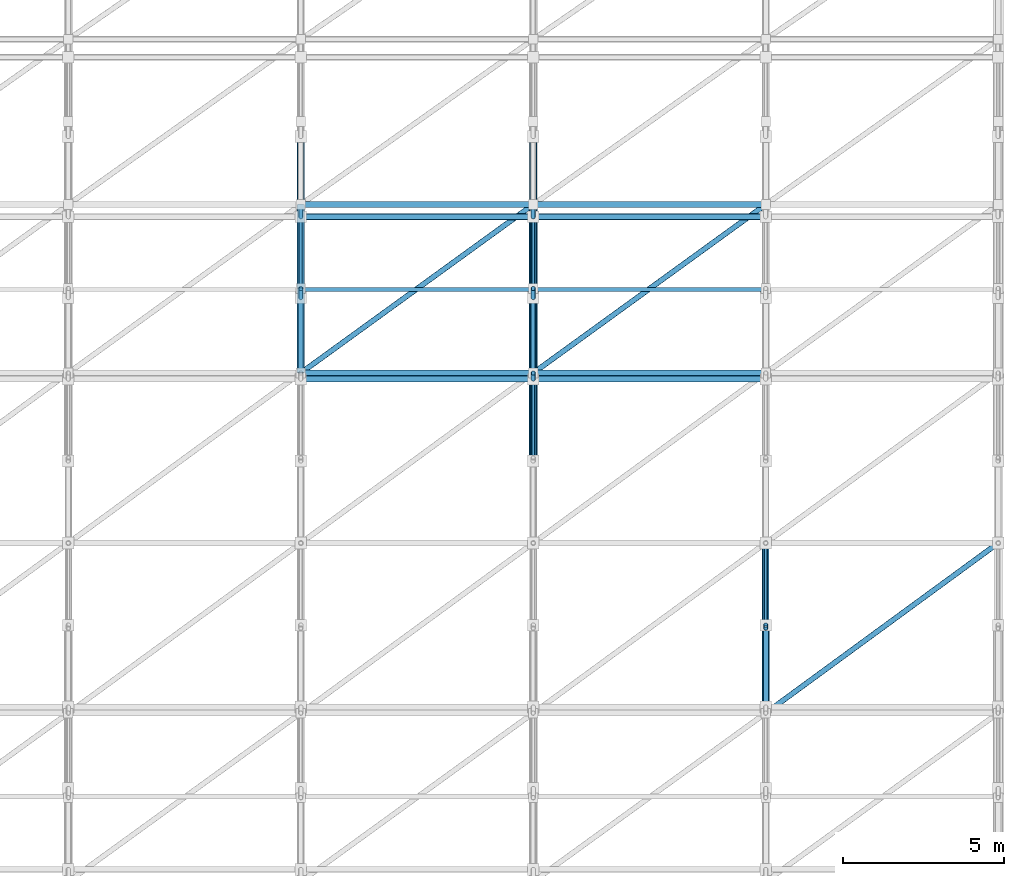
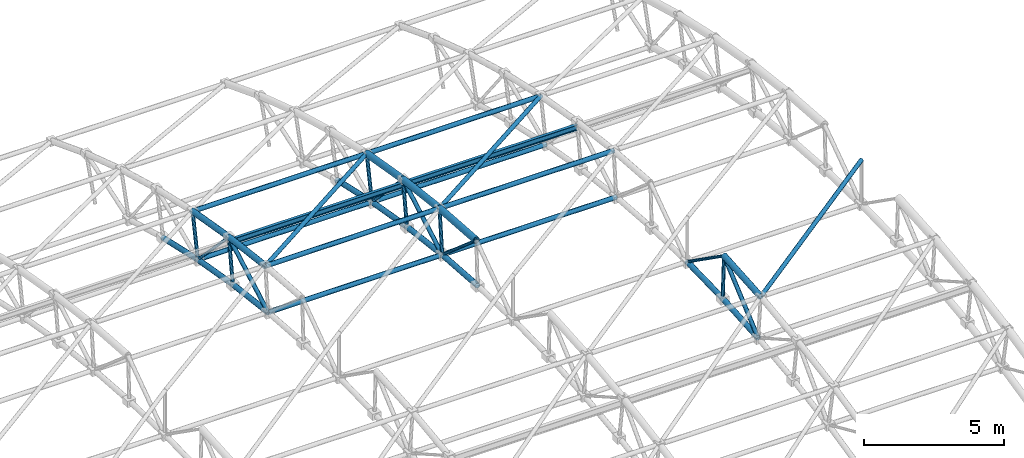
# One storey, part 20 of 41: 41 members.
"""IFC4 building model written with IfcOpenShell, lengths in metres."""

from ifc_helpers import new_model, si_unit, direction, frame, origin, origin_2d, place, context, subcontext, project, spatial, hollow_circle, i_section, extrude, material, material_profile, profile_set, type_object, element, save


model = new_model("IFC4")

# Units and contexts
model_context = context("Model", 3, precision=1e-05, world=origin(), true_north=direction((0.0, 1.0)))
body_context = subcontext(model_context, "Body", "Model", "MODEL_VIEW")
ifc_project = project(units=[si_unit("LENGTHUNIT", "METRE"), si_unit("AREAUNIT", "SQUARE_METRE"), si_unit("VOLUMEUNIT", "CUBIC_METRE"), si_unit("PLANEANGLEUNIT", "RADIAN"), si_unit("MASSUNIT", "GRAM", prefix="KILO")], contexts=[model_context])

# Site, building, storey
site_placement = place(None, origin())
site = spatial("IfcSite", under=ifc_project, at=site_placement, CompositionType="ELEMENT")
building_placement = place(site_placement, origin())
building = spatial("IfcBuilding", under=site, at=building_placement, Name="Malvenik Polytechnic", CompositionType="ELEMENT")
storey_placement = place(building_placement, frame((0.0, 0.0, 17.699951171875)))
storey = spatial("IfcBuildingStorey", under=building, at=storey_placement, Name="L04", CompositionType="ELEMENT", Elevation=17.699951171875)

# Members
ifc_material_1 = material(Name="Steel S355J2H", Category="steel")
ifc_material_profile_1 = material_profile(ifc_material_1, hollow_circle(Radius=0.109619140625, WallThickness=0.010009765625, at=origin_2d()), Name="CHS 219.1x10.0")
ifc_profile_set_1 = profile_set([ifc_material_profile_1], Name="Steel S355J2H")
member_type_1 = type_object("IfcMemberType", Name="STR-MEM-SFB-02", PredefinedType="CHORD", material=ifc_profile_set_1)
member_1_placement = place(storey_placement, frame((170.39990234375, 67.3466796875, 2.34130859375), z_axis=(0.0, 0.997310938626, -0.073286367738), x_axis=(-1.0, 0.0, 0.0)))
element("IfcMember", 1, at=member_1_placement, inside=storey, type_object=member_type_1, Name="Space-Frame Tube SFB-02 STR-SF-BC-0512", PredefinedType="CHORD", context=body_context, shape_type="SweptSolid", body=[
    extrude(hollow_circle(Radius=0.109619140625, WallThickness=0.010009765625, at=origin_2d()), origin(), (0.0, 0.0, 1.0), 2.53515625),
])
for number, where, z_axis, x_axis, name in (
    (2, (170.39990234375, 69.883056640625, 2.15478515625), (0.0, 0.992529141181, -0.122007802646), (-1.0, 0.0, 0.0), "Space-Frame Tube SFB-02 STR-SF-BC-0514"),
    (3, (170.39990234375, 72.4072265625, 1.84423828125), (0.0, 0.985384405638, -0.170345452318), (-1.0, 0.0, 0.0), "Space-Frame Tube SFB-02 STR-SF-BC-0516"),
):
    element("IfcMember", number, at=place(storey_placement, frame(where, z_axis=z_axis, x_axis=x_axis)), inside=storey, type_object=member_type_1, Name=name, PredefinedType="CHORD", context=body_context, shape_type="SweptSolid", body=[
        extrude(hollow_circle(Radius=0.109619140625, WallThickness=0.010009765625, at=origin_2d()), origin(), (0.0, 0.0, 1.0), 2.535400390625),
    ])
member_2_placement = place(storey_placement, frame((170.39990234375, 74.913330078125, 1.41064453125), z_axis=(0.0, 0.975880203116, -0.21830673184), x_axis=(-1.0, 0.0, 0.0)))
element("IfcMember", 4, at=member_2_placement, inside=storey, type_object=member_type_1, Name="Space-Frame Tube SFB-02 STR-SF-BC-0518", PredefinedType="CHORD", context=body_context, shape_type="SweptSolid", body=[
    extrude(hollow_circle(Radius=0.109619140625, WallThickness=0.010009765625, at=origin_2d()), origin(), (0.0, 0.0, 1.0), 2.53515625),
])
ifc_material_profile_2 = material_profile(ifc_material_1, hollow_circle(Radius=0.109619140625, WallThickness=0.008056640625, at=origin_2d()), Name="CHS 219.1x8.0")
ifc_profile_set_2 = profile_set([ifc_material_profile_2], Name="Steel S355J2H")
member_type_2 = type_object("IfcMemberType", Name="STR-MEM-SFB-03", PredefinedType="CHORD", material=ifc_profile_set_2)
for number, where, z_axis, x_axis, name in (
    (5, (163.199951171875, 69.883056640625, 2.15478515625), (0.0, 0.992529141181, -0.122007802646), (-1.0, 0.0, 0.0), "Space-Frame Tube SFB-03 STR-SF-BC-0417"),
    (6, (163.199951171875, 72.4072265625, 1.84423828125), (0.0, 0.985384405638, -0.170345452318), (-1.0, 0.0, 0.0), "Space-Frame Tube SFB-03 STR-SF-BC-0419"),
):
    element("IfcMember", number, at=place(storey_placement, frame(where, z_axis=z_axis, x_axis=x_axis)), inside=storey, type_object=member_type_2, Name=name, PredefinedType="CHORD", context=body_context, shape_type="SweptSolid", body=[
        extrude(hollow_circle(Radius=0.109619140625, WallThickness=0.008056640625, at=origin_2d()), origin(), (0.0, 0.0, 1.0), 2.535400390625),
    ])
for number, where, z_axis, x_axis, name in (
    (7, (163.199951171875, 74.913330078125, 1.41064453125), (0.0, 0.975880203116, -0.21830673184), (-1.0, 0.0, 0.0), "Space-Frame Tube SFB-03 STR-SF-BC-0421"),
    (8, (177.60009765625, 59.72509765625, 2.155517578125), (0.0, 0.997310938626, 0.073286367738), (-1.0, 0.0, 0.0), "Space-Frame Tube SFB-03 STR-SF-BC-0603"),
    (9, (177.60009765625, 62.261474609375, 2.341796875), (0.0, 0.999700798264, 0.024460456869), (-1.0, 0.0, 0.0), "Space-Frame Tube SFB-03 STR-SF-BC-0605"),
):
    element("IfcMember", number, at=place(storey_placement, frame(where, z_axis=z_axis, x_axis=x_axis)), inside=storey, type_object=member_type_2, Name=name, PredefinedType="CHORD", context=body_context, shape_type="SweptSolid", body=[
        extrude(hollow_circle(Radius=0.109619140625, WallThickness=0.008056640625, at=origin_2d()), origin(), (0.0, 0.0, 1.0), 2.53515625),
    ])
ifc_material_profile_3 = material_profile(ifc_material_1, hollow_circle(Radius=0.084228515625, WallThickness=0.00634765625, at=origin_2d()), Name="CHS 168.3x6.3")
ifc_profile_set_3 = profile_set([ifc_material_profile_3], Name="Steel S355J2H")
member_type_3 = type_object("IfcMemberType", Name="STR-MEM-SFD-02", PredefinedType="BRACE", material=ifc_profile_set_3)
for number, where, z_axis, x_axis, name in (
    (10, (163.199951171875, 69.882568359375, 2.1572265625), (0.0, 0.869477287163, 0.493972921432), (-1.0, 0.0, 0.0), "Space-Frame Tube SFD-02 STR-SF-AD-0476"),
    (11, (170.39990234375, 69.882568359375, 2.1572265625), (0.0, 0.869477287163, 0.493972921432), (-1.0, 0.0, 0.0), "Space-Frame Tube SFD-02 STR-SF-AD-0573"),
    (12, (177.60009765625, 59.72412109375, 2.157958984375), (0.0, 0.756869052153, 0.653566552), (-1.0, 0.0, 0.0), "Space-Frame Tube SFD-02 STR-SF-AD-0666"),
):
    element("IfcMember", number, at=place(storey_placement, frame(where, z_axis=z_axis, x_axis=x_axis)), inside=storey, type_object=member_type_3, Name=name, PredefinedType="BRACE", context=body_context, shape_type="SweptSolid", body=[
        extrude(hollow_circle(Radius=0.084228515625, WallThickness=0.00634765625, at=origin_2d()), origin(), (0.0, 0.0, 1.0), 3.218994140625),
    ])
member_3_placement = place(storey_placement, frame((163.203125, 70.0693359375, 4.07080078125), z_axis=(0.806752867448, 0.58453646588, -0.086411405045), x_axis=(-0.586731110708, 0.80978182477, 0.0)))
element("IfcMember", 13, at=member_3_placement, inside=storey, type_object=member_type_3, Name="Space-Frame Tube SFD-02 STR-SF-SD-0978", PredefinedType="BRACE", context=body_context, shape_type="SweptSolid", body=[
    extrude(hollow_circle(Radius=0.084228515625, WallThickness=0.00634765625, at=origin_2d()), origin(), (0.0, 0.0, 1.0), 8.916748046875),
])
for number, where, z_axis, x_axis, name in (
    (14, (170.4033203125, 70.0693359375, 4.07080078125), (0.806743307395, 0.584549377871, -0.086413313811), (-0.586744168683, 0.809772363394, 0.0), "Space-Frame Tube SFD-02 STR-SF-SD-1020"),
    (15, (177.603271484375, 59.535400390625, 4.071044921875), (0.806768013469, 0.590160453498, 0.028913864661), (-0.590407298766, 0.807105458762, 0.0), "Space-Frame Tube SFD-02 STR-SF-SD-1060"),
):
    element("IfcMember", number, at=place(storey_placement, frame(where, z_axis=z_axis, x_axis=x_axis)), inside=storey, type_object=member_type_3, Name=name, PredefinedType="BRACE", context=body_context, shape_type="SweptSolid", body=[
        extrude(hollow_circle(Radius=0.084228515625, WallThickness=0.00634765625, at=origin_2d()), origin(), (0.0, 0.0, 1.0), 8.91650390625),
    ])
ifc_material_profile_4 = material_profile(ifc_material_1, hollow_circle(Radius=0.06982421875, WallThickness=0.00634765625, at=origin_2d()), Name="CHS 139.7x6.3")
ifc_profile_set_4 = profile_set([ifc_material_profile_4], Name="Steel S355J2H")
member_type_4 = type_object("IfcMemberType", Name="STR-MEM-SFD-03", PredefinedType="BRACE", material=ifc_profile_set_4)
member_4_placement = place(storey_placement, frame((163.199951171875, 72.40380859375, 1.848876953125), z_axis=(0.0, 0.146197883622, 0.989255365831), x_axis=(-1.0, 0.0, 0.0)))
element("IfcMember", 16, at=member_4_placement, inside=storey, type_object=member_type_4, Name="Space-Frame Tube SFD-03 STR-SF-WB-0452", PredefinedType="BRACE", context=body_context, shape_type="SweptSolid", body=[
    extrude(hollow_circle(Radius=0.06982421875, WallThickness=0.00634765625, at=origin_2d()), origin(), (0.0, 0.0, 1.0), 1.9169921875),
])
for number, where, z_axis, x_axis, name in (
    (17, (163.199951171875, 74.910400390625, 1.41552734375), (0.0, 0.194328084871, 0.980936590933), (-1.0, 0.0, 0.0), "Space-Frame Tube SFD-03 STR-SF-WB-0453"),
    (18, (170.39990234375, 69.87939453125, 2.1591796875), (0.0, 0.09767529924, 0.995218335803), (-1.0, 0.0, 0.0), "Space-Frame Tube SFD-03 STR-SF-WB-0548"),
):
    element("IfcMember", number, at=place(storey_placement, frame(where, z_axis=z_axis, x_axis=x_axis)), inside=storey, type_object=member_type_4, Name=name, PredefinedType="BRACE", context=body_context, shape_type="SweptSolid", body=[
        extrude(hollow_circle(Radius=0.06982421875, WallThickness=0.00634765625, at=origin_2d()), origin(), (0.0, 0.0, 1.0), 1.917236328125),
    ])
member_5_placement = place(storey_placement, frame((170.39990234375, 72.40380859375, 1.848876953125), z_axis=(0.0, 0.146197883622, 0.989255365831), x_axis=(-1.0, 0.0, 0.0)))
element("IfcMember", 19, at=member_5_placement, inside=storey, type_object=member_type_4, Name="Space-Frame Tube SFD-03 STR-SF-WB-0549", PredefinedType="BRACE", context=body_context, shape_type="SweptSolid", body=[
    extrude(hollow_circle(Radius=0.06982421875, WallThickness=0.00634765625, at=origin_2d()), origin(), (0.0, 0.0, 1.0), 1.9169921875),
])
member_6_placement = place(storey_placement, frame((170.39990234375, 74.910400390625, 1.41552734375), z_axis=(0.0, 0.194328084871, 0.980936590933), x_axis=(-1.0, 0.0, 0.0)))
element("IfcMember", 20, at=member_6_placement, inside=storey, type_object=member_type_4, Name="Space-Frame Tube SFD-03 STR-SF-WB-0550", PredefinedType="BRACE", context=body_context, shape_type="SweptSolid", body=[
    extrude(hollow_circle(Radius=0.06982421875, WallThickness=0.00634765625, at=origin_2d()), origin(), (0.0, 0.0, 1.0), 1.917236328125),
])
member_7_placement = place(storey_placement, frame((177.60009765625, 62.257080078125, 2.345703125), z_axis=(0.0, -0.048781437095, 0.998809477025), x_axis=(1.0, 0.0, 0.0)))
element("IfcMember", 21, at=member_7_placement, inside=storey, type_object=member_type_4, Name="Space-Frame Tube SFD-03 STR-SF-WB-0642", PredefinedType="BRACE", context=body_context, shape_type="SweptSolid", body=[
    extrude(hollow_circle(Radius=0.06982421875, WallThickness=0.00634765625, at=origin_2d()), origin(), (0.0, 0.0, 1.0), 1.916748046875),
])
ifc_material_profile_5 = material_profile(ifc_material_1, hollow_circle(Radius=0.05712890625, WallThickness=0.0048828125, at=origin_2d()), Name="CHS 114.3x5.0")
ifc_profile_set_5 = profile_set([ifc_material_profile_5], Name="Steel S355J2H")
member_type_5 = type_object("IfcMemberType", Name="STR-MEM-SFD-04", PredefinedType="BRACE", material=ifc_profile_set_5)
for number, where, z_axis, x_axis, name in (
    (22, (163.199951171875, 72.6875, 3.746337890625), (0.0, 0.689408937301, -0.724372360854), (-1.0, 0.0, 0.0), "Space-Frame Tube SFD-04 STR-SF-AD-0477"),
    (23, (170.39990234375, 67.439697265625, 4.26171875), (0.0, 0.756869052153, -0.653566552), (-1.0, 0.0, 0.0), "Space-Frame Tube SFD-04 STR-SF-AD-0572"),
    (24, (170.39990234375, 72.6875, 3.746337890625), (0.0, 0.689408937301, -0.724372360854), (-1.0, 0.0, 0.0), "Space-Frame Tube SFD-04 STR-SF-AD-0574"),
    (25, (177.60009765625, 62.16650390625, 4.261962890625), (0.0, 0.817091860907, -0.576507494175), (-1.0, 0.0, 0.0), "Space-Frame Tube SFD-04 STR-SF-AD-0667"),
):
    element("IfcMember", number, at=place(storey_placement, frame(where, z_axis=z_axis, x_axis=x_axis)), inside=storey, type_object=member_type_5, Name=name, PredefinedType="BRACE", context=body_context, shape_type="SweptSolid", body=[
        extrude(hollow_circle(Radius=0.05712890625, WallThickness=0.0048828125, at=origin_2d()), origin(), (0.0, 0.0, 1.0), 3.218994140625),
    ])
ifc_material_profile_6 = material_profile(ifc_material_1, hollow_circle(Radius=0.096923828125, WallThickness=0.008056640625, at=origin_2d()), Name="CHS 193.7x8.0")
ifc_profile_set_6 = profile_set([ifc_material_profile_6], Name="Steel S355J2H")
member_type_6 = type_object("IfcMemberType", Name="STR-MEM-SFL-01", PredefinedType="CHORD", material=ifc_profile_set_6)
for number, where, z_axis, x_axis, name in (
    (26, (163.2041015625, 69.87890625, 2.1552734375), (1.0, 0.0, 0.0), (0.0, 1.0, 0.0), "Space-Frame Tube SFL-01 STR-SF-LB-0959"),
    (27, (163.2041015625, 70.06689453125, 4.071044921875), (1.0, 0.0, 0.0), (0.0, 1.0, 0.0), "Space-Frame Tube SFL-01 STR-SF-LT-0960"),
    (28, (163.2041015625, 74.909423828125, 1.41162109375), (1.0, 0.0, 0.0), (0.0, 1.0, 0.0), "Space-Frame Tube SFL-01 STR-SF-LB-0961"),
    (29, (163.2041015625, 75.28369140625, 3.300048828125), (1.0, 0.0, 0.0), (0.0, 1.0, 0.0), "Space-Frame Tube SFL-01 STR-SF-LT-0962"),
    (30, (170.404052734375, 69.87890625, 2.1552734375), (1.0, 0.0, 0.0), (0.0, 1.0, 0.0), "Space-Frame Tube SFL-01 STR-SF-LB-1001"),
    (31, (170.404052734375, 70.06689453125, 4.071044921875), (1.0, 0.0, 0.0), (0.0, 1.0, 0.0), "Space-Frame Tube SFL-01 STR-SF-LT-1002"),
    (32, (170.404052734375, 74.909423828125, 1.41162109375), (1.0, 0.0, 0.0), (0.0, 1.0, 0.0), "Space-Frame Tube SFL-01 STR-SF-LB-1003"),
    (33, (170.404052734375, 75.28369140625, 3.300048828125), (1.0, 0.0, 0.0), (0.0, 1.0, 0.0), "Space-Frame Tube SFL-01 STR-SF-LT-1004"),
):
    element("IfcMember", number, at=place(storey_placement, frame(where, z_axis=z_axis, x_axis=x_axis)), inside=storey, type_object=member_type_6, Name=name, PredefinedType="CHORD", context=body_context, shape_type="SweptSolid", body=[
        extrude(hollow_circle(Radius=0.096923828125, WallThickness=0.008056640625, at=origin_2d()), origin(), (0.0, 0.0, 1.0), 7.19189453125),
    ])
ifc_material_2 = material(Name="Steel S355", Category="steel")
ifc_material_profile_7 = material_profile(ifc_material_2, i_section(OverallWidth=0.1201171875, OverallDepth=0.239990234375, WebThickness=0.006103515625, FlangeThickness=0.009765625, FilletRadius=0.014892578125, at=origin_2d()), Name="IPE 240")
ifc_profile_set_7 = profile_set([ifc_material_profile_7], Name="Steel S355")
member_type_7 = type_object("IfcMemberType", Name="STR-MEM-SFP-01", PredefinedType="PURLIN", material=ifc_profile_set_7)
member_8_placement = place(storey_placement, frame((163.219970703125, 72.65478515625, 3.54638671875), z_axis=(1.0, 0.0, 0.0), x_axis=(0.0, 1.0, 0.0)))
element("IfcMember", 34, at=member_8_placement, inside=storey, type_object=member_type_7, Name="Vault Roof Purlin SFP-01 #985", PredefinedType="PURLIN", context=body_context, shape_type="SweptSolid", body=[
    extrude(i_section(OverallWidth=0.1201171875, OverallDepth=0.239990234375, WebThickness=0.006103515625, FlangeThickness=0.009765625, FilletRadius=0.014892578125, at=origin_2d()), origin(), (0.0, 0.0, 1.0), 7.159912109375),
])
member_9_placement = place(storey_placement, frame((170.419921875, 72.65478515625, 3.54638671875), z_axis=(1.0, 0.0, 0.0), x_axis=(0.0, 1.0, 0.0)))
element("IfcMember", 35, at=member_9_placement, inside=storey, type_object=member_type_7, Name="Vault Roof Purlin SFP-01 #1027", PredefinedType="PURLIN", context=body_context, shape_type="SweptSolid", body=[
    extrude(i_section(OverallWidth=0.1201171875, OverallDepth=0.239990234375, WebThickness=0.006103515625, FlangeThickness=0.009765625, FilletRadius=0.014892578125, at=origin_2d()), origin(), (0.0, 0.0, 1.0), 7.16015625),
])
ifc_material_profile_8 = material_profile(ifc_material_1, hollow_circle(Radius=0.136474609375, WallThickness=0.012451171875, at=origin_2d()), Name="CHS 273.0x12.5")
ifc_profile_set_8 = profile_set([ifc_material_profile_8], Name="Steel S355J2H")
member_type_8 = type_object("IfcMemberType", Name="STR-MEM-SFT-02", PredefinedType="CHORD", material=ifc_profile_set_8)
for number, where, z_axis, x_axis, name in (
    (36, (170.39990234375, 67.440673828125, 4.26416015625), (0.0, 0.997306127173, -0.073351814586), (-1.0, 0.0, 0.0), "Space-Frame Tube SFT-02 STR-SF-TC-0513"),
    (37, (170.39990234375, 70.071044921875, 4.070556640625), (0.0, 0.99253004874, -0.122000419462), (-1.0, 0.0, 0.0), "Space-Frame Tube SFT-02 STR-SF-TC-0515"),
    (38, (170.39990234375, 72.688720703125, 3.74853515625), (0.0, 0.985379595625, -0.170373274095), (-1.0, 0.0, 0.0), "Space-Frame Tube SFT-02 STR-SF-TC-0517"),
):
    element("IfcMember", number, at=place(storey_placement, frame(where, z_axis=z_axis, x_axis=x_axis)), inside=storey, type_object=member_type_8, Name=name, PredefinedType="CHORD", context=body_context, shape_type="SweptSolid", body=[
        extrude(hollow_circle(Radius=0.136474609375, WallThickness=0.012451171875, at=origin_2d()), origin(), (0.0, 0.0, 1.0), 2.62939453125),
    ])
ifc_material_profile_9 = material_profile(ifc_material_1, hollow_circle(Radius=0.122314453125, WallThickness=0.010009765625, at=origin_2d()), Name="CHS 244.5x10.0")
ifc_profile_set_9 = profile_set([ifc_material_profile_9], Name="Steel S355J2H")
member_type_9 = type_object("IfcMemberType", Name="STR-MEM-SFT-03", PredefinedType="CHORD", material=ifc_profile_set_9)
for number, where, z_axis, x_axis, name in (
    (39, (163.199951171875, 70.071044921875, 4.070556640625), (0.0, 0.99253004874, -0.122000419462), (-1.0, 0.0, 0.0), "Space-Frame Tube SFT-03 STR-SF-TC-0418"),
    (40, (163.199951171875, 72.688720703125, 3.74853515625), (0.0, 0.985379595625, -0.170373274095), (-1.0, 0.0, 0.0), "Space-Frame Tube SFT-03 STR-SF-TC-0420"),
):
    element("IfcMember", number, at=place(storey_placement, frame(where, z_axis=z_axis, x_axis=x_axis)), inside=storey, type_object=member_type_9, Name=name, PredefinedType="CHORD", context=body_context, shape_type="SweptSolid", body=[
        extrude(hollow_circle(Radius=0.122314453125, WallThickness=0.010009765625, at=origin_2d()), origin(), (0.0, 0.0, 1.0), 2.62939453125),
    ])
member_10_placement = place(storey_placement, frame((177.60009765625, 59.537109375, 4.0712890625), z_axis=(0.0, 0.997305627523, 0.073358607611), x_axis=(-1.0, 0.0, 0.0)))
element("IfcMember", 41, at=member_10_placement, inside=storey, type_object=member_type_9, Name="Space-Frame Tube SFT-03 STR-SF-TC-0604", PredefinedType="CHORD", context=body_context, shape_type="SweptSolid", body=[
    extrude(hollow_circle(Radius=0.122314453125, WallThickness=0.010009765625, at=origin_2d()), origin(), (0.0, 0.0, 1.0), 2.629150390625),
])

save(model, "model.ifc")
